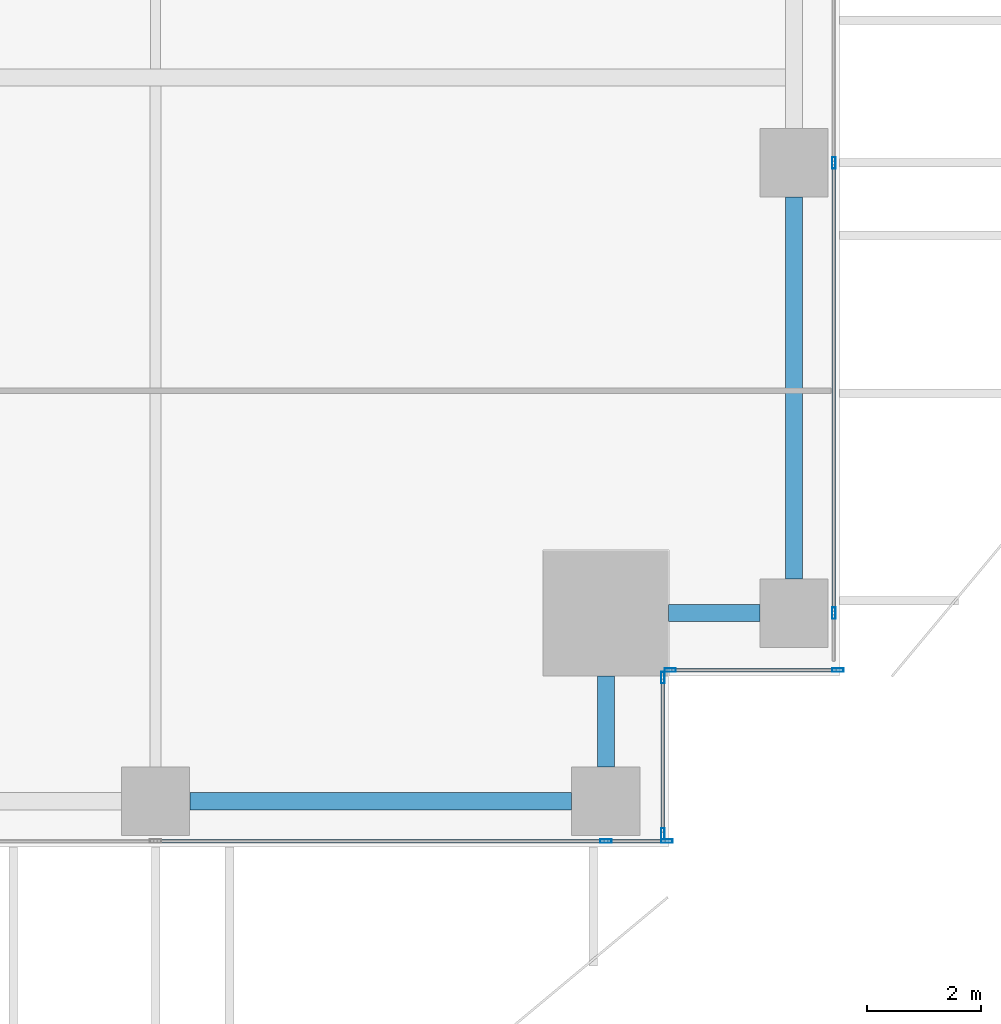
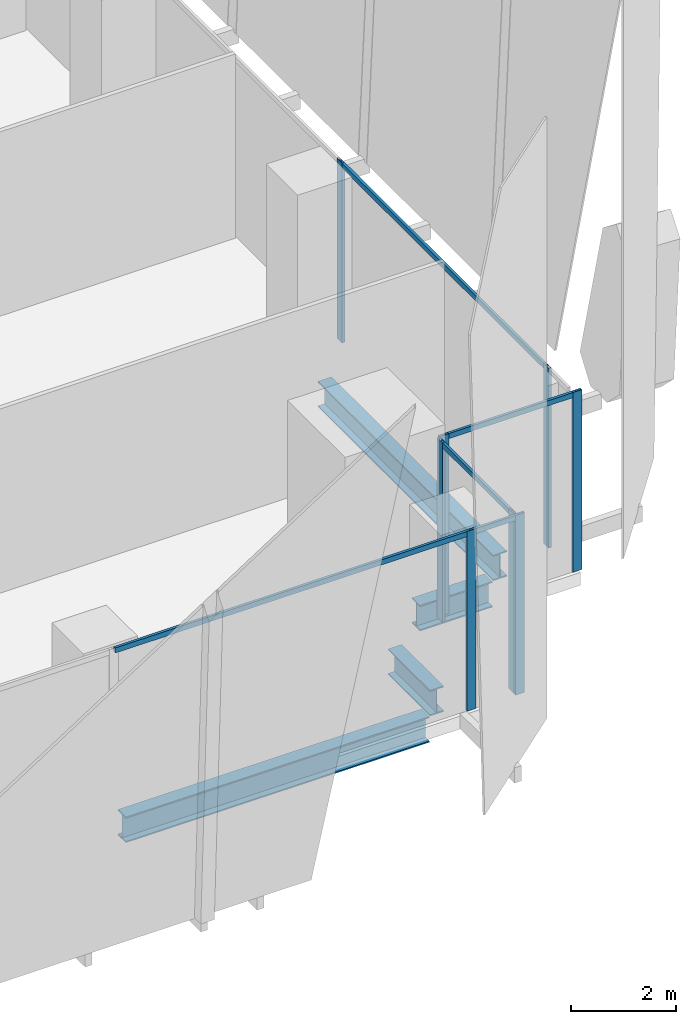
# One storey, part 8 of 35: 13 members, 4 beams, 4 elements without a shape of their own.
"""IFC4 building model written with IfcOpenShell, lengths in metres."""

from ifc_helpers import new_model, si_unit, direction, frame, origin, origin_2d, place, context, subcontext, project, spatial, hollow_rectangle, i_section, extrude, source, transform, mapped, material, material_profile, profile_set, type_object, element, aggregate, save


model = new_model("IFC4")

# Units and contexts
model_context = context("Model", 3, precision=1e-05, world=origin(), true_north=direction((0.0, 1.0)))
body_context = subcontext(model_context, "Body", "Model", "MODEL_VIEW")
ifc_project = project(units=[si_unit("LENGTHUNIT", "METRE"), si_unit("AREAUNIT", "SQUARE_METRE"), si_unit("VOLUMEUNIT", "CUBIC_METRE"), si_unit("PLANEANGLEUNIT", "RADIAN"), si_unit("MASSUNIT", "GRAM", prefix="KILO")], contexts=[model_context])

# Site, building, storey
site_placement = place(None, origin())
site = spatial("IfcSite", under=ifc_project, at=site_placement, CompositionType="ELEMENT")
building_placement = place(site_placement, origin())
building = spatial("IfcBuilding", under=site, at=building_placement, Name="Khomas Fold Tower", CompositionType="ELEMENT")
storey_placement = place(building_placement, frame((0.0, 0.0, 87.0)))
storey = spatial("IfcBuildingStorey", under=building, at=storey_placement, Name="L18", CompositionType="ELEMENT", Elevation=87.0)

# Beams
ifc_material_1 = material(Name="Steel S355", Category="steel")
ifc_material_profile_1 = material_profile(ifc_material_1, i_section(OverallWidth=0.300048828125, OverallDepth=0.60009765625, WebThickness=0.015380859375, FlangeThickness=0.030029296875, at=origin_2d()), Name="HE 600 B")
ifc_profile_set_1 = profile_set([ifc_material_profile_1], Name="Steel S355")
beam_type = type_object("IfcBeamType", Name="HE 600 B spandrel SB1", PredefinedType="SPANDREL", material=ifc_profile_set_1)
shared_shape_1 = source(origin(), body_context, "Body", "SweptSolid", [
    extrude(i_section(OverallWidth=0.300048828125, OverallDepth=0.60009765625, WebThickness=0.015380859375, FlangeThickness=0.030029296875, at=origin_2d()), origin(), (0.0, 0.0, 1.0), 6.699951171875),
])
for number, where, z_axis, x_axis, name in (
    (1, (42.60009765625, 0.800048828125, -0.60009765625), (1.0, 0.0, 0.0), (0.0, 1.0, 0.0), "SB1"),
    (2, (53.199951171875, 4.699951171875, -0.60009765625), (0.0, 1.0, 0.0), (-1.0, 0.0, 0.0), "SB1"),
):
    element("IfcBeam", number, at=place(storey_placement, frame(where, z_axis=z_axis, x_axis=x_axis)), inside=storey, type_object=beam_type, Name=name, PredefinedType="SPANDREL", context=body_context, shape_type="MappedRepresentation", body=[
        mapped(shared_shape_1, transform((0.0, 0.0, 0.0))),
    ])
shared_shape_2 = source(origin(), body_context, "Body", "SweptSolid", [
    extrude(i_section(OverallWidth=0.300048828125, OverallDepth=0.60009765625, WebThickness=0.015380859375, FlangeThickness=0.030029296875, at=origin_2d()), origin(), (0.0, 0.0, 1.0), 1.60009765625),
])
for number, where, z_axis, x_axis, name in (
    (3, (49.89990234375, 1.39990234375, -0.60009765625), (0.0, 1.0, 0.0), (-1.0, 0.0, 0.0), "SB1"),
    (4, (51.0, 4.10009765625, -0.60009765625), (1.0, 0.0, 0.0), (0.0, 1.0, 0.0), "SB1"),
):
    element("IfcBeam", number, at=place(storey_placement, frame(where, z_axis=z_axis, x_axis=x_axis)), inside=storey, type_object=beam_type, Name=name, PredefinedType="SPANDREL", context=body_context, shape_type="MappedRepresentation", body=[
        mapped(shared_shape_2, transform((0.0, 0.0, 0.0))),
    ])

# Curtain wall, member
ifc_material_2 = material(Name="Aluminium framed double glazing", Category="aluminium")
curtain_wall_type = type_object("IfcCurtainWallType", Name="SK-Unitised clear-glass wall, growing floors CW1", PredefinedType="NOTDEFINED", material=ifc_material_2)
curtain_wall_1_placement = place(storey_placement, origin())
curtain_wall_1 = element("IfcCurtainWall", 5, at=curtain_wall_1_placement, inside=storey, type_object=curtain_wall_type, Name="CW1 run L18 00-0", PredefinedType="NOTDEFINED")
ifc_material_3 = material(Name="Aluminium", Category="aluminium")
ifc_material_profile_2 = material_profile(ifc_material_3, hollow_rectangle(XDim=0.06005859375, YDim=0.1201171875, WallThickness=0.00390625, at=origin_2d()), Name="SK-Unitised clear-glass wall, growing floors transom CW1-T")
ifc_profile_set_2 = profile_set([ifc_material_profile_2], Name="Aluminium")
member_type_1 = type_object("IfcMemberType", Name="SK-Unitised clear-glass wall, growing floors transom CW1-T", PredefinedType="USERDEFINED", material=ifc_profile_set_2)
shared_shape_3 = source(origin(), body_context, "Body", "SweptSolid", [
    extrude(hollow_rectangle(XDim=0.06005859375, YDim=0.1201171875, WallThickness=0.00390625, at=origin_2d()), origin(), (0.0, 0.0, 1.0), 7.840087890625),
])
member_1_placement = place(storey_placement, frame((42.030029296875, 0.10009765625, 4.139892578125), z_axis=(1.0, 0.0, 0.0), x_axis=(0.0, 1.0, 0.0)))
member_1 = element("IfcMember", 6, at=member_1_placement, type_object=member_type_1, Name="CW1 transom 7", ObjectType="TRANSOM", PredefinedType="USERDEFINED", context=body_context, shape_type="MappedRepresentation", body=[
    mapped(shared_shape_3, transform((0.0, 0.0, 0.0))),
])

curtain_wall_2_placement = place(storey_placement, origin())
curtain_wall_2 = element("IfcCurtainWall", 7, at=curtain_wall_2_placement, inside=storey, type_object=curtain_wall_type, Name="CW1 run L18 03-0", PredefinedType="NOTDEFINED")
member_2_placement = place(storey_placement, frame((53.89990234375, 4.1298828125, 4.139892578125), z_axis=(0.0, 1.0, 0.0), x_axis=(-1.0, 0.0, 0.0)))
member_2 = element("IfcMember", 8, at=member_2_placement, type_object=member_type_1, Name="CW1 transom 2", ObjectType="TRANSOM", PredefinedType="USERDEFINED", context=body_context, shape_type="MappedRepresentation", body=[
    mapped(shared_shape_3, transform((0.0, 0.0, 0.0))),
])

# Member
shared_shape_4 = source(origin(), body_context, "Body", "SweptSolid", [
    extrude(hollow_rectangle(XDim=0.06005859375, YDim=0.1201171875, WallThickness=0.00390625, at=origin_2d()), origin(), (0.0, 0.0, 1.0), 1.010009765625),
])
member_3_placement = place(storey_placement, frame((49.929931640625, 0.10009765625, 4.139892578125), z_axis=(1.0, 0.0, 0.0), x_axis=(0.0, 1.0, 0.0)))
member_3 = element("IfcMember", 9, at=member_3_placement, type_object=member_type_1, Name="CW1 transom 8", ObjectType="TRANSOM", PredefinedType="USERDEFINED", context=body_context, shape_type="MappedRepresentation", body=[
    mapped(shared_shape_4, transform((0.0, 0.0, 0.0))),
])

# Curtain wall, member
curtain_wall_3_placement = place(storey_placement, origin())
curtain_wall_3 = element("IfcCurtainWall", 10, at=curtain_wall_3_placement, inside=storey, type_object=curtain_wall_type, Name="CW1 corner return L18 01", PredefinedType="NOTDEFINED")
shared_shape_5 = source(origin(), body_context, "Body", "SweptSolid", [
    extrude(hollow_rectangle(XDim=0.06005859375, YDim=0.1201171875, WallThickness=0.00390625, at=origin_2d()), origin(), (0.0, 0.0, 1.0), 2.679931640625),
])
member_4_placement = place(storey_placement, frame((50.89990234375, 0.260009765625, 4.139892578125), z_axis=(0.0, 1.0, 0.0), x_axis=(-1.0, 0.0, 0.0)))
member_4 = element("IfcMember", 11, at=member_4_placement, type_object=member_type_1, Name="CW1 transom 1", ObjectType="TRANSOM", PredefinedType="USERDEFINED", context=body_context, shape_type="MappedRepresentation", body=[
    mapped(shared_shape_5, transform((0.0, 0.0, 0.0))),
])

curtain_wall_4_placement = place(storey_placement, origin())
curtain_wall_4 = element("IfcCurtainWall", 12, at=curtain_wall_4_placement, inside=storey, type_object=curtain_wall_type, Name="CW1 corner return L18 02", PredefinedType="NOTDEFINED")
shared_shape_6 = source(origin(), body_context, "Body", "SweptSolid", [
    extrude(hollow_rectangle(XDim=0.06005859375, YDim=0.1201171875, WallThickness=0.00390625, at=origin_2d()), origin(), (0.0, 0.0, 1.0), 2.8798828125),
])
member_5_placement = place(storey_placement, frame((51.06005859375, 3.10009765625, 4.139892578125), z_axis=(1.0, 0.0, 0.0), x_axis=(0.0, 1.0, 0.0)))
member_5 = element("IfcMember", 13, at=member_5_placement, type_object=member_type_1, Name="CW1 transom 1", ObjectType="TRANSOM", PredefinedType="USERDEFINED", context=body_context, shape_type="MappedRepresentation", body=[
    mapped(shared_shape_6, transform((0.0, 0.0, 0.0))),
])

# Member
ifc_material_4 = material(Name="Aluminium", Category="aluminium")
ifc_material_profile_3 = material_profile(ifc_material_4, hollow_rectangle(XDim=0.06005859375, YDim=0.199951171875, WallThickness=0.00390625, at=origin_2d()), Name="SK-Unitised clear-glass wall, growing floors mullion CW1-M")
ifc_profile_set_3 = profile_set([ifc_material_profile_3], Name="Aluminium")
member_type_2 = type_object("IfcMemberType", Name="SK-Unitised clear-glass wall, growing floors mullion CW1-M", PredefinedType="MULLION", material=ifc_profile_set_3)
shared_shape_7 = source(origin(), body_context, "Body", "SweptSolid", [
    extrude(hollow_rectangle(XDim=0.06005859375, YDim=0.199951171875, WallThickness=0.00390625, at=origin_2d()), origin(), (0.0, 0.0, 1.0), 4.199951171875),
])
member_6_placement = place(storey_placement, frame((49.89990234375, 0.10009765625, 0.0), z_axis=(0.0, 0.0, 1.0), x_axis=(0.0, 1.0, 0.0)))
member_6 = element("IfcMember", 14, at=member_6_placement, type_object=member_type_2, Name="CW1 mullion 8", PredefinedType="MULLION", context=body_context, shape_type="MappedRepresentation", body=[
    mapped(shared_shape_7, transform((0.0, 0.0, 0.0))),
])

member_7_placement = place(storey_placement, frame((50.969970703125, 0.10009765625, 0.0), z_axis=(0.0, 0.0, 1.0), x_axis=(0.0, 1.0, 0.0)))
member_7 = element("IfcMember", 15, at=member_7_placement, type_object=member_type_2, Name="CW1 mullion 9", PredefinedType="MULLION", context=body_context, shape_type="MappedRepresentation", body=[
    mapped(shared_shape_7, transform((0.0, 0.0, 0.0))),
])

aggregate(curtain_wall_1, [member_6, member_7, member_1, member_3])

member_8_placement = place(storey_placement, frame((50.89990234375, 0.22998046875, 0.0), z_axis=(0.0, 0.0, 1.0), x_axis=(-1.0, 0.0, 0.0)))
member_8 = element("IfcMember", 16, at=member_8_placement, type_object=member_type_2, Name="CW1 mullion 1", PredefinedType="MULLION", context=body_context, shape_type="MappedRepresentation", body=[
    mapped(shared_shape_7, transform((0.0, 0.0, 0.0))),
])

member_9_placement = place(storey_placement, frame((50.89990234375, 2.969970703125, 0.0), z_axis=(0.0, 0.0, 1.0), x_axis=(-1.0, 0.0, 0.0)))
member_9 = element("IfcMember", 17, at=member_9_placement, type_object=member_type_2, Name="CW1 mullion 2", PredefinedType="MULLION", context=body_context, shape_type="MappedRepresentation", body=[
    mapped(shared_shape_7, transform((0.0, 0.0, 0.0))),
])

aggregate(curtain_wall_3, [member_8, member_9, member_4])

member_10_placement = place(storey_placement, frame((51.030029296875, 3.10009765625, 0.0), z_axis=(0.0, 0.0, 1.0), x_axis=(0.0, 1.0, 0.0)))
member_10 = element("IfcMember", 18, at=member_10_placement, type_object=member_type_2, Name="CW1 mullion 1", PredefinedType="MULLION", context=body_context, shape_type="MappedRepresentation", body=[
    mapped(shared_shape_7, transform((0.0, 0.0, 0.0))),
])

member_11_placement = place(storey_placement, frame((53.969970703125, 3.10009765625, 0.0), z_axis=(0.0, 0.0, 1.0), x_axis=(0.0, 1.0, 0.0)))
member_11 = element("IfcMember", 19, at=member_11_placement, type_object=member_type_2, Name="CW1 mullion 2", PredefinedType="MULLION", context=body_context, shape_type="MappedRepresentation", body=[
    mapped(shared_shape_7, transform((0.0, 0.0, 0.0))),
])

aggregate(curtain_wall_4, [member_10, member_11, member_5])

member_12_placement = place(storey_placement, frame((53.89990234375, 4.10009765625, 0.0), z_axis=(0.0, 0.0, 1.0), x_axis=(-1.0, 0.0, 0.0)))
member_12 = element("IfcMember", 20, at=member_12_placement, type_object=member_type_2, Name="CW1 mullion 2", PredefinedType="MULLION", context=body_context, shape_type="MappedRepresentation", body=[
    mapped(shared_shape_7, transform((0.0, 0.0, 0.0))),
])

member_13_placement = place(storey_placement, frame((53.89990234375, 12.0, 0.0), z_axis=(0.0, 0.0, 1.0), x_axis=(-1.0, 0.0, 0.0)))
member_13 = element("IfcMember", 21, at=member_13_placement, type_object=member_type_2, Name="CW1 mullion 3", PredefinedType="MULLION", context=body_context, shape_type="MappedRepresentation", body=[
    mapped(shared_shape_7, transform((0.0, 0.0, 0.0))),
])

aggregate(curtain_wall_2, [member_12, member_13, member_2])

save(model, "model.ifc")
